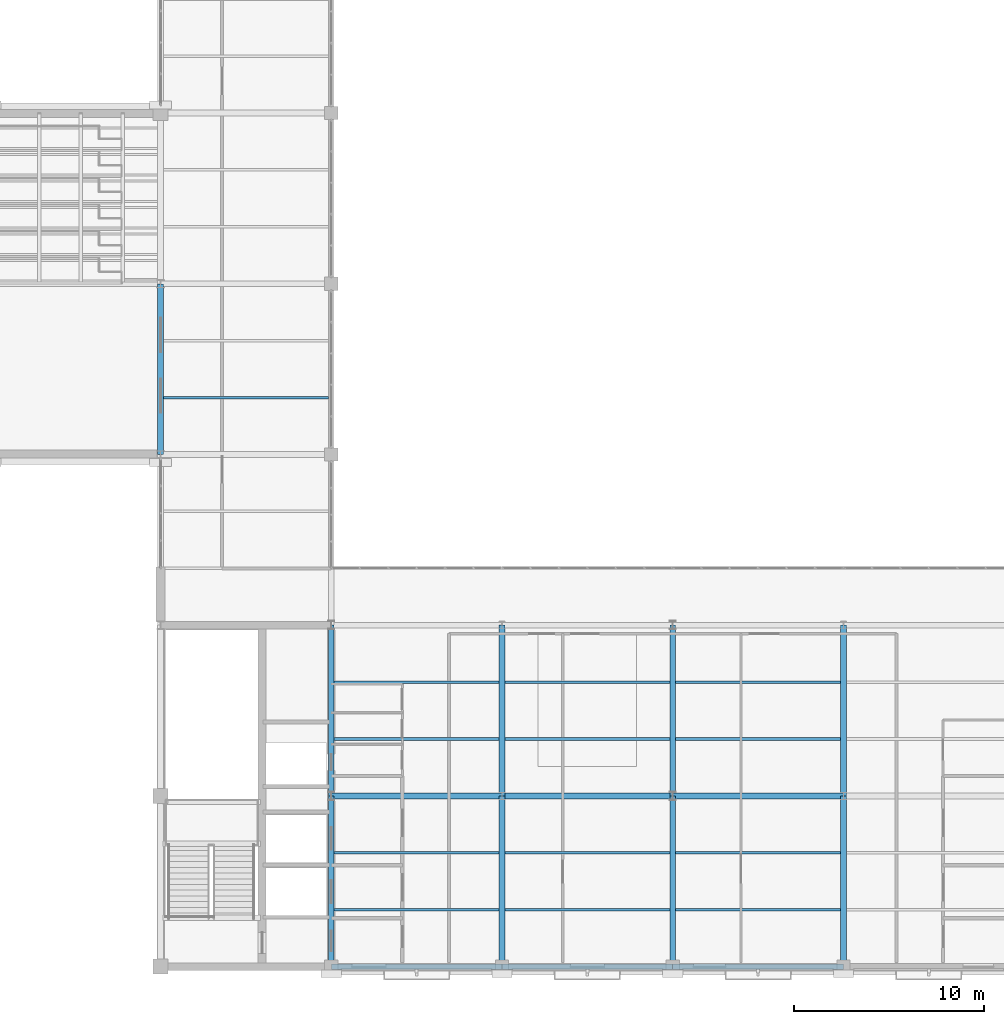
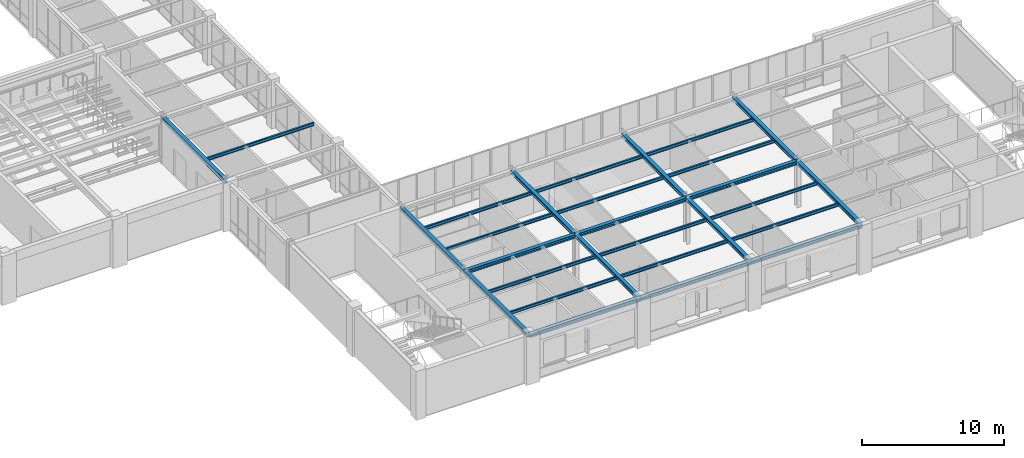
# One storey, part 18 of 130: 28 beams.
"""IFC4 building model written with IfcOpenShell, lengths in metres."""

from ifc_helpers import new_model, si_unit, direction, frame, origin, origin_2d, place, context, subcontext, project, spatial, i_section, extrude, material, material_profile, profile_set, type_object, element, save


model = new_model("IFC4")

# Units and contexts
model_context = context("Model", 3, precision=1e-05, world=origin(), true_north=direction((0.0, 1.0)))
body_context = subcontext(model_context, "Body", "Model", "MODEL_VIEW")
ifc_project = project(units=[si_unit("LENGTHUNIT", "METRE"), si_unit("AREAUNIT", "SQUARE_METRE"), si_unit("VOLUMEUNIT", "CUBIC_METRE"), si_unit("PLANEANGLEUNIT", "RADIAN"), si_unit("MASSUNIT", "GRAM", prefix="KILO")], contexts=[model_context])

# Site, building, storey
site_placement = place(None, origin())
site = spatial("IfcSite", under=ifc_project, at=site_placement, CompositionType="ELEMENT")
building_placement = place(site_placement, origin())
building = spatial("IfcBuilding", under=site, at=building_placement, Name="Lykobir Media Centre", CompositionType="ELEMENT")
storey_placement = place(building_placement, frame((0.0, 0.0, 19.199951171875)))
storey = spatial("IfcBuildingStorey", under=building, at=storey_placement, Name="L04", CompositionType="ELEMENT", Elevation=19.199951171875)

# Beams
ifc_material = material(Name="Steel S355", Category="steel")
ifc_material_profile_1 = material_profile(ifc_material, i_section(OverallWidth=0.300048828125, OverallDepth=0.2900390625, WebThickness=0.008544921875, FlangeThickness=0.013916015625, at=origin_2d()), Name="HEA 300")
ifc_profile_set_1 = profile_set([ifc_material_profile_1], Name="Steel S355")
beam_type_1 = type_object("IfcBeamType", Name="BM-HEA300", PredefinedType="BEAM", material=ifc_profile_set_1)
for number, where, z_axis, x_axis, name in (
    (1, (36.0, 0.0, 3.81494140625), (0.0, 1.0, 0.0), (-1.0, 0.0, 0.0), "Beam BM-L04-0360-0000-0360-0090-2302"),
    (2, (36.0, 9.0, 3.81494140625), (0.0, 1.0, 0.0), (-1.0, 0.0, 0.0), "Beam BM-L04-0360-0090-0360-0180-2302"),
    (3, (45.0, 0.0, 3.81494140625), (0.0, 1.0, 0.0), (-1.0, 0.0, 0.0), "Beam BM-L04-0450-0000-0450-0090-2302"),
    (4, (45.0, 9.0, 3.81494140625), (0.0, 1.0, 0.0), (-1.0, 0.0, 0.0), "Beam BM-L04-0450-0090-0450-0180-2302"),
    (5, (54.0, 0.0, 3.81494140625), (0.0, 1.0, 0.0), (-1.0, 0.0, 0.0), "Beam BM-L04-0540-0000-0540-0090-2302"),
    (6, (54.0, 9.0, 3.81494140625), (0.0, 1.0, 0.0), (-1.0, 0.0, 0.0), "Beam BM-L04-0540-0090-0540-0180-2302"),
    (7, (63.0, 0.0, 3.81494140625), (0.0, 1.0, 0.0), (-1.0, 0.0, 0.0), "Beam BM-L04-0630-0000-0630-0090-2302"),
    (8, (63.0, 9.0, 3.81494140625), (0.0, 1.0, 0.0), (-1.0, 0.0, 0.0), "Beam BM-L04-0630-0090-0630-0180-2302"),
):
    element("IfcBeam", number, at=place(storey_placement, frame(where, z_axis=z_axis, x_axis=x_axis)), inside=storey, type_object=beam_type_1, Name=name, PredefinedType="BEAM", context=body_context, shape_type="SweptSolid", body=[
        extrude(i_section(OverallWidth=0.300048828125, OverallDepth=0.2900390625, WebThickness=0.008544921875, FlangeThickness=0.013916015625, at=origin_2d()), origin(), (0.0, 0.0, 1.0), 9.0),
    ])
ifc_material_profile_2 = material_profile(ifc_material, i_section(OverallWidth=0.300048828125, OverallDepth=0.31005859375, WebThickness=0.009033203125, FlangeThickness=0.015380859375, at=origin_2d()), Name="HEA 320")
ifc_profile_set_2 = profile_set([ifc_material_profile_2], Name="Steel S355")
beam_type_2 = type_object("IfcBeamType", Name="BM-HEA320", PredefinedType="BEAM", material=ifc_profile_set_2)
for number, where, z_axis, x_axis, name in (
    (9, (36.0, 9.0, 3.804931640625), (1.0, 0.0, 0.0), (0.0, 1.0, 0.0), "Beam BM-L04-0360-0090-0450-0090-2300"),
    (10, (45.0, 9.0, 3.804931640625), (1.0, 0.0, 0.0), (0.0, 1.0, 0.0), "Beam BM-L04-0450-0090-0540-0090-2300"),
    (11, (54.0, 9.0, 3.804931640625), (1.0, 0.0, 0.0), (0.0, 1.0, 0.0), "Beam BM-L04-0540-0090-0630-0090-2300"),
):
    element("IfcBeam", number, at=place(storey_placement, frame(where, z_axis=z_axis, x_axis=x_axis)), inside=storey, type_object=beam_type_2, Name=name, PredefinedType="BEAM", context=body_context, shape_type="SweptSolid", body=[
        extrude(i_section(OverallWidth=0.300048828125, OverallDepth=0.31005859375, WebThickness=0.009033203125, FlangeThickness=0.015380859375, at=origin_2d()), origin(), (0.0, 0.0, 1.0), 9.0),
    ])
ifc_material_profile_3 = material_profile(ifc_material, i_section(OverallWidth=0.135009765625, OverallDepth=0.27001953125, WebThickness=0.006591796875, FlangeThickness=0.01025390625, at=origin_2d()), Name="IPE 270")
ifc_profile_set_3 = profile_set([ifc_material_profile_3], Name="Steel S355")
beam_type_3 = type_object("IfcBeamType", Name="JS-IPE270", PredefinedType="JOIST", material=ifc_profile_set_3)
for number, where, z_axis, x_axis, name in (
    (12, (27.14990234375, 30.0, 3.824951171875), (1.0, 0.0, 0.0), (0.0, 1.0, 0.0), "Beam BM-L04-0272-0300-0358-0300-2302"),
    (13, (36.14990234375, 3.0, 3.824951171875), (1.0, 0.0, 0.0), (0.0, 1.0, 0.0), "Beam BM-L04-0362-0030-0448-0030-2302"),
    (14, (36.14990234375, 6.0, 3.824951171875), (1.0, 0.0, 0.0), (0.0, 1.0, 0.0), "Beam BM-L04-0362-0060-0448-0060-2302"),
    (15, (36.14990234375, 12.0, 3.824951171875), (1.0, 0.0, 0.0), (0.0, 1.0, 0.0), "Beam BM-L04-0362-0120-0448-0120-2302"),
    (16, (36.14990234375, 15.0, 3.824951171875), (1.0, 0.0, 0.0), (0.0, 1.0, 0.0), "Beam BM-L04-0362-0150-0448-0150-2302"),
    (17, (45.14990234375, 3.0, 3.824951171875), (1.0, 0.0, 0.0), (0.0, 1.0, 0.0), "Beam BM-L04-0452-0030-0538-0030-2302"),
    (18, (45.14990234375, 6.0, 3.824951171875), (1.0, 0.0, 0.0), (0.0, 1.0, 0.0), "Beam BM-L04-0452-0060-0538-0060-2302"),
    (19, (45.14990234375, 12.0, 3.824951171875), (1.0, 0.0, 0.0), (0.0, 1.0, 0.0), "Beam BM-L04-0452-0120-0538-0120-2302"),
    (20, (45.14990234375, 15.0, 3.824951171875), (1.0, 0.0, 0.0), (0.0, 1.0, 0.0), "Beam BM-L04-0452-0150-0538-0150-2302"),
    (21, (54.14990234375, 3.0, 3.824951171875), (1.0, 0.0, 0.0), (0.0, 1.0, 0.0), "Beam BM-L04-0542-0030-0628-0030-2302"),
    (22, (54.14990234375, 6.0, 3.824951171875), (1.0, 0.0, 0.0), (0.0, 1.0, 0.0), "Beam BM-L04-0542-0060-0628-0060-2302"),
    (23, (54.14990234375, 12.0, 3.824951171875), (1.0, 0.0, 0.0), (0.0, 1.0, 0.0), "Beam BM-L04-0542-0120-0628-0120-2302"),
    (24, (54.14990234375, 15.0, 3.824951171875), (1.0, 0.0, 0.0), (0.0, 1.0, 0.0), "Beam BM-L04-0542-0150-0628-0150-2302"),
):
    element("IfcBeam", number, at=place(storey_placement, frame(where, z_axis=z_axis, x_axis=x_axis)), inside=storey, type_object=beam_type_3, Name=name, PredefinedType="JOIST", context=body_context, shape_type="SweptSolid", body=[
        extrude(i_section(OverallWidth=0.135009765625, OverallDepth=0.27001953125, WebThickness=0.006591796875, FlangeThickness=0.01025390625, at=origin_2d()), origin(), (0.0, 0.0, 1.0), 8.7001953125),
    ])
ifc_material_profile_4 = material_profile(ifc_material, i_section(OverallWidth=0.300048828125, OverallDepth=0.31005859375, WebThickness=0.009033203125, FlangeThickness=0.015380859375, at=origin_2d()), Name="HEA 320")
ifc_profile_set_4 = profile_set([ifc_material_profile_4], Name="Steel S355")
beam_type_4 = type_object("IfcBeamType", Name="SP-HEA320", PredefinedType="SPANDREL", material=ifc_profile_set_4)
beam_placement = place(storey_placement, frame((27.0, 27.0, 3.804931640625), z_axis=(0.0, 1.0, 0.0), x_axis=(-1.0, 0.0, 0.0)))
element("IfcBeam", 25, at=beam_placement, inside=storey, type_object=beam_type_4, Name="Beam BM-L04-0270-0270-0270-0360-2300", PredefinedType="SPANDREL", context=body_context, shape_type="SweptSolid", body=[
    extrude(i_section(OverallWidth=0.300048828125, OverallDepth=0.31005859375, WebThickness=0.009033203125, FlangeThickness=0.015380859375, at=origin_2d()), origin(), (0.0, 0.0, 1.0), 9.0),
])
ifc_material_profile_5 = material_profile(ifc_material, i_section(OverallWidth=0.300048828125, OverallDepth=0.31005859375, WebThickness=0.009033203125, FlangeThickness=0.015380859375, at=origin_2d()), Name="HEA 320")
ifc_profile_set_5 = profile_set([ifc_material_profile_5], Name="Steel S355")
beam_type_5 = type_object("IfcBeamType", Name="SP-HEA320-E", PredefinedType="SPANDREL", material=ifc_profile_set_5)
for number, where, z_axis, x_axis, name in (
    (26, (36.0, 0.0, 3.804931640625), (1.0, 0.0, 0.0), (0.0, 1.0, 0.0), "Beam BM-L04-0360-0000-0450-0000-2300"),
    (27, (45.0, 0.0, 3.804931640625), (1.0, 0.0, 0.0), (0.0, 1.0, 0.0), "Beam BM-L04-0450-0000-0540-0000-2300"),
    (28, (54.0, 0.0, 3.804931640625), (1.0, 0.0, 0.0), (0.0, 1.0, 0.0), "Beam BM-L04-0540-0000-0630-0000-2300"),
):
    element("IfcBeam", number, at=place(storey_placement, frame(where, z_axis=z_axis, x_axis=x_axis)), inside=storey, type_object=beam_type_5, Name=name, PredefinedType="SPANDREL", context=body_context, shape_type="SweptSolid", body=[
        extrude(i_section(OverallWidth=0.300048828125, OverallDepth=0.31005859375, WebThickness=0.009033203125, FlangeThickness=0.015380859375, at=origin_2d()), origin(), (0.0, 0.0, 1.0), 9.0),
    ])

save(model, "model.ifc")
